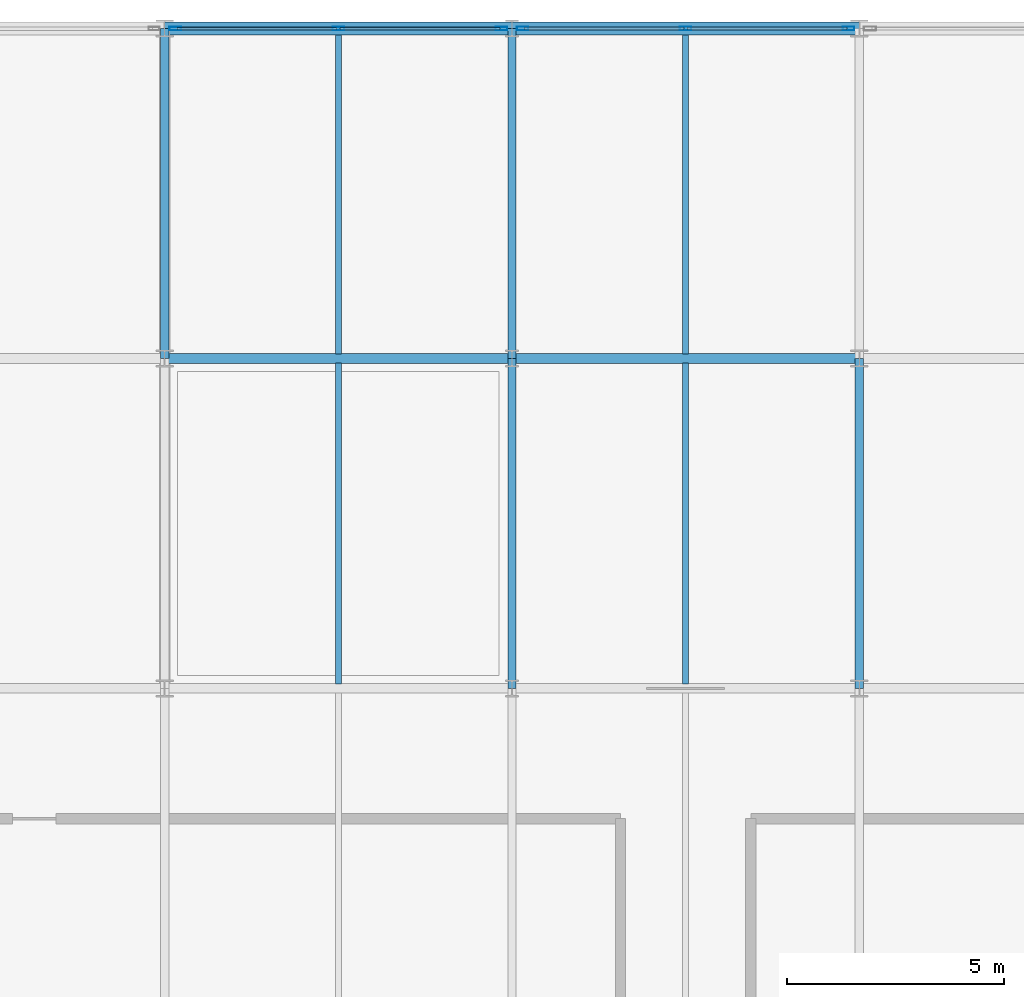
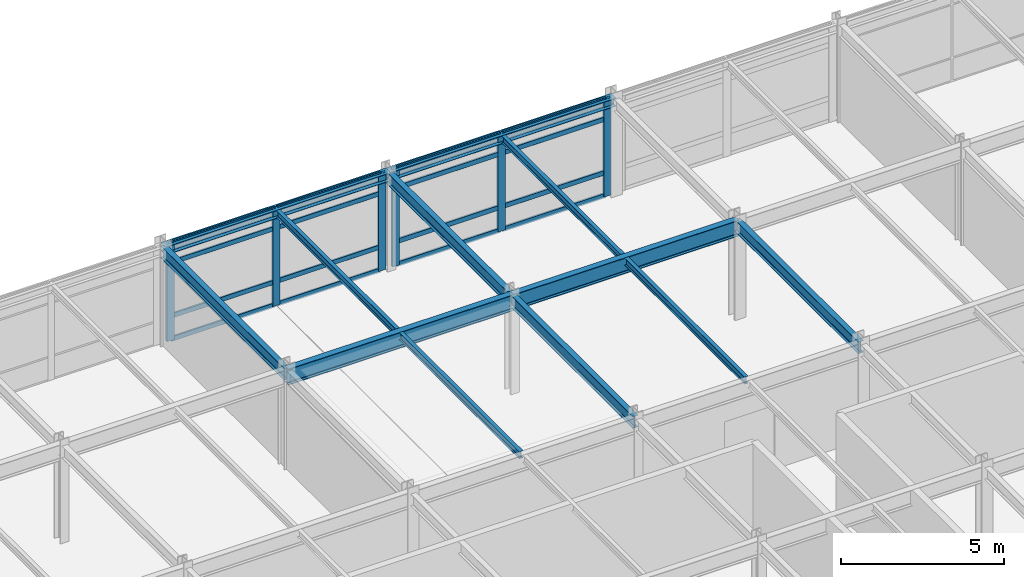
# One storey, part 7 of 14: 22 members, 12 beams, 2 elements without a shape of their own.
"""IFC4 building model written with IfcOpenShell, lengths in metres."""

import ifcopenshell
import ifcopenshell.guid

model = None  # the IFC model being written
_history = None  # IfcOwnerHistory: only IFC2X3 demands one
_inside = {}  # id of a spatial element -> (the spatial element, [elements in it])
_under = {}  # id of a project, library or spatial element -> (it, [spatial elements below it])
_declared = {}  # id of a project -> (the project, [libraries it declares])
_typed = {}  # id of a type object -> (the type object, [elements of that type])
_made_of = {}  # id of a material, layer set ... -> (it, [elements and type objects made of it])


def new_model(schema):
    """Start an empty IFC model of exactly this schema.

    Asked for "IFC4X3", IfcOpenShell would pick the latest addendum, in which some entities
    have other attributes; the version numbers below select the first issue.
    IFC2X3 requires an IfcOwnerHistory on every rooted entity: one is made here for all.
    """
    global model, _history
    if schema == "IFC4X3":
        model = ifcopenshell.file(schema_version=(4, 3, 0, 0))
    else:
        model = ifcopenshell.file(schema=schema)
    _inside.clear()
    _under.clear()
    _declared.clear()
    _typed.clear()
    _made_of.clear()
    _history = None
    if model.schema == "IFC2X3":
        org = make("IfcOrganization", Name="unknown")
        user = make(
            "IfcPersonAndOrganization",
            ThePerson=make("IfcPerson", FamilyName="unknown"),
            TheOrganization=org,
        )
        app = make(
            "IfcApplication",
            ApplicationDeveloper=org,
            Version="unknown",
            ApplicationFullName="unknown",
            ApplicationIdentifier="unknown",
        )
        _history = make(
            "IfcOwnerHistory",
            OwningUser=user,
            OwningApplication=app,
            ChangeAction="ADDED",
            CreationDate=0,
        )
    return model


def make(cls, **values):
    """One entity of the class cls with the attributes given. An attribute that is None is left unset."""
    return model.create_entity(
        cls, **{name: value for name, value in values.items() if value is not None}
    )


def rooted(cls, **values):
    """An entity with a GlobalId (a new one), such as an element, a storey or a relation."""
    return make(cls, GlobalId=ifcopenshell.guid.new(), OwnerHistory=_history, **values)


def si_unit(unit_type, name, prefix=None):
    """IfcSIUnit, for example si_unit("LENGTHUNIT", "METRE", prefix="MILLI")."""
    return make("IfcSIUnit", UnitType=unit_type, Prefix=prefix, Name=name)


def assignment(units):
    """IfcUnitAssignment: the units of a project."""
    return None if units is None else make("IfcUnitAssignment", Units=units)


def point(xyz):
    """IfcCartesianPoint."""
    return None if xyz is None else make("IfcCartesianPoint", Coordinates=xyz)


def direction(xyz):
    """IfcDirection."""
    return None if xyz is None else make("IfcDirection", DirectionRatios=xyz)


def frame(location, z_axis=None, x_axis=None):
    """IfcAxis2Placement3D, a coordinate frame: its origin and axes. An axis left out is left unset."""
    return make(
        "IfcAxis2Placement3D",
        Location=point(location),
        Axis=direction(z_axis),
        RefDirection=direction(x_axis),
    )


def frame_2d(location, x_axis=None):
    """IfcAxis2Placement2D, a coordinate frame in the plane: its origin and x axis."""
    return make(
        "IfcAxis2Placement2D", Location=point(location), RefDirection=direction(x_axis)
    )


def origin():
    """The frame at (0, 0, 0) with its axes left unset."""
    return frame((0.0, 0.0, 0.0))


def origin_2d():
    """The frame at (0, 0) in the plane with its x axis left unset."""
    return frame_2d((0.0, 0.0))


def place(relative_to, where):
    """IfcLocalPlacement: puts the frame where relative to a parent placement (None: the world)."""
    return make(
        "IfcLocalPlacement", PlacementRelTo=relative_to, RelativePlacement=where
    )


def context(
    kind, dimensions, precision=None, world=None, true_north=None, identifier=None
):
    """IfcGeometricRepresentationContext, for example the 3D "Model" context."""
    return make(
        "IfcGeometricRepresentationContext",
        ContextIdentifier=identifier,
        ContextType=kind,
        CoordinateSpaceDimension=dimensions,
        Precision=precision,
        WorldCoordinateSystem=world,
        TrueNorth=true_north,
    )


def subcontext(parent, identifier, kind, view, scale=None):
    """IfcGeometricRepresentationSubContext, for example "Body" below "Model"."""
    return make(
        "IfcGeometricRepresentationSubContext",
        ContextIdentifier=identifier,
        ContextType=kind,
        ParentContext=parent,
        TargetScale=scale,
        TargetView=view,
    )


def project(units=None, contexts=None):
    """IfcProject with its units and contexts."""
    return rooted(
        "IfcProject",
        Name="project",
        RepresentationContexts=contexts,
        UnitsInContext=assignment(units),
    )


def spatial(cls, under=None, at=None, **own):
    """A site, building, storey or space (cls), placed at a placement, below another one or the project."""
    s = rooted(cls, ObjectPlacement=at, **own)
    if under is not None:
        _under.setdefault(under.id(), (under, []))[1].append(s)
    return s


def profile(cls, at=None, kind="AREA", **sizes):
    """A parametric profile (cls). Its sizes go by their IFC names, for example OverallWidth=200.0."""
    return make(cls, ProfileType=kind, Position=at, **sizes)


def hollow_rectangle(**sizes):
    """IfcRectangleHollowProfileDef."""
    return profile("IfcRectangleHollowProfileDef", **sizes)


def i_section(**sizes):
    """IfcIShapeProfileDef."""
    return profile("IfcIShapeProfileDef", **sizes)


def extrude(swept, where, along, depth):
    """IfcExtrudedAreaSolid: the profile swept, set in the frame where, extruded along a direction by depth."""
    return make(
        "IfcExtrudedAreaSolid",
        SweptArea=swept,
        Position=where,
        ExtrudedDirection=direction(along),
        Depth=depth,
    )


def shape(context_of_items, identifier, shape_type, items):
    """IfcShapeRepresentation: the items that make up one representation, for example the "Body"."""
    return make(
        "IfcShapeRepresentation",
        ContextOfItems=context_of_items,
        RepresentationIdentifier=identifier,
        RepresentationType=shape_type,
        Items=items,
    )


def material(Name=None, Category=None):
    """IfcMaterial."""
    return make("IfcMaterial", Name=Name, Category=Category)


def layer(
    of_material, thickness, ventilated=None, Name=None, Category=None, Priority=None
):
    """IfcMaterialLayer: one layer of a wall or slab, of a material (None: an air gap)."""
    return make(
        "IfcMaterialLayer",
        Material=of_material,
        LayerThickness=thickness,
        IsVentilated=ventilated,
        Name=Name,
        Category=Category,
        Priority=Priority,
    )


def layer_set(layers, Name=None):
    """IfcMaterialLayerSet."""
    return make("IfcMaterialLayerSet", MaterialLayers=layers, LayerSetName=Name)


def material_profile(
    of_material, cross_section, Name=None, Category=None, Priority=None
):
    """IfcMaterialProfile: a cross section and its material."""
    return make(
        "IfcMaterialProfile",
        Name=Name,
        Material=of_material,
        Profile=cross_section,
        Priority=Priority,
        Category=Category,
    )


def profile_set(profiles, Name=None, composite=None):
    """IfcMaterialProfileSet."""
    return make(
        "IfcMaterialProfileSet",
        Name=Name,
        MaterialProfiles=profiles,
        CompositeProfile=composite,
    )


def made_of(thing, what):
    """Note that an element or type object is made of a material, layer set ...; save() writes the relation."""
    if what is not None:
        _made_of.setdefault(what.id(), (what, []))[1].append(thing)
    return thing


def type_object(cls, material=None, **own):
    """A type object (cls), such as IfcWallType, which elements share."""
    return made_of(rooted(cls, **own), material)


def element(
    cls,
    number,
    at=None,
    inside=None,
    cuts=None,
    type_object=None,
    material=None,
    context=None,
    identifier="Body",
    shape_type=None,
    held_by="IfcProductDefinitionShape",
    body=None,
    shapes=None,
    **own,
):
    """One element of the class cls, such as IfcWall. Its Tag is "e" and its number.

    at: its placement. inside: the storey or other place that contains it. cuts: it is an
    opening in that element (IfcRelVoidsElement). A single representation is given by context,
    identifier, shape_type and body (its items); several are given by shapes. held_by: the class
    of the entity that holds the representations. save() writes the other relations.
    """
    e = rooted(cls, Tag="e%d" % number, ObjectPlacement=at, **own)
    if body is not None:
        shapes = [shape(context, identifier, shape_type, body)]
    if shapes is not None:
        e.Representation = make(held_by, Representations=shapes)
    if inside is not None:
        _inside.setdefault(inside.id(), (inside, []))[1].append(e)
    if cuts is not None:
        rooted(
            "IfcRelVoidsElement", RelatingBuildingElement=cuts, RelatedOpeningElement=e
        )
    if type_object is not None:
        _typed.setdefault(type_object.id(), (type_object, []))[1].append(e)
    return made_of(e, material)


def aggregate(whole, parts):
    """IfcRelAggregates: a whole, such as a stair, and the parts it consists of."""
    return rooted("IfcRelAggregates", RelatingObject=whole, RelatedObjects=parts)


def save(model, path):
    """Write the relations noted so far, then the file.

    IfcRelAggregates (storeys below a building ...), IfcRelContainedInSpatialStructure (elements
    in a storey), IfcRelDefinesByType, IfcRelAssociatesMaterial and IfcRelDeclares: one each for
    every whole, place, type object, material and project.
    """
    for whole, parts in _under.values():
        aggregate(whole, parts)
    for where, things in _inside.values():
        rooted(
            "IfcRelContainedInSpatialStructure",
            RelatedElements=things,
            RelatingStructure=where,
        )
    for kind, things in _typed.values():
        rooted("IfcRelDefinesByType", RelatedObjects=things, RelatingType=kind)
    for what, things in _made_of.values():
        rooted("IfcRelAssociatesMaterial", RelatedObjects=things, RelatingMaterial=what)
    for by, libraries in _declared.values():
        rooted("IfcRelDeclares", RelatingContext=by, RelatedDefinitions=libraries)
    model.write(path)


model = new_model("IFC4")

# Units and contexts
model_context = context("Model", 3, precision=1e-05, world=origin(), true_north=direction((0.0, 1.0)))
body_context = subcontext(model_context, "Body", "Model", "MODEL_VIEW")
ifc_project = project(units=[si_unit("LENGTHUNIT", "METRE"), si_unit("AREAUNIT", "SQUARE_METRE"), si_unit("VOLUMEUNIT", "CUBIC_METRE"), si_unit("PLANEANGLEUNIT", "RADIAN"), si_unit("MASSUNIT", "GRAM", prefix="KILO")], contexts=[model_context])

# Site, building, storey
site_placement = place(None, origin())
site = spatial("IfcSite", under=ifc_project, at=site_placement, CompositionType="ELEMENT")
building_placement = place(site_placement, origin())
building = spatial("IfcBuilding", under=site, at=building_placement, Name="Shalkamar Park Central Library", CompositionType="ELEMENT")
storey_placement = place(building_placement, frame((0.0, 0.0, 28.199951171875)))
storey = spatial("IfcBuildingStorey", under=building, at=storey_placement, Name="L07", CompositionType="ELEMENT", Elevation=28.199951171875)

# Beams
ifc_material_1 = material(Name="Steel S355", Category="steel")
ifc_material_profile_1 = material_profile(ifc_material_1, i_section(OverallWidth=0.135009765625, OverallDepth=0.27001953125, WebThickness=0.006591796875, FlangeThickness=0.01025390625, FilletRadius=0.014892578125, at=origin_2d()), Name="IPE 270")
ifc_profile_set_1 = profile_set([ifc_material_profile_1], Name="Steel S355")
beam_type_1 = type_object("IfcBeamType", Name="Composite Floor Joist IPE270", PredefinedType="JOIST", material=ifc_profile_set_1)
beam_1_placement = place(storey_placement, frame((185.0, 278.10791015625, 3.525146484375), z_axis=(0.0, 1.0, 0.0), x_axis=(-1.0, 0.0, 0.0)))
element("IfcBeam", 1, at=beam_1_placement, inside=storey, type_object=beam_type_1, Name="Composite Joist 09/F-1 (L07)", PredefinedType="JOIST", context=body_context, shape_type="SweptSolid", body=[
    extrude(i_section(OverallWidth=0.135009765625, OverallDepth=0.27001953125, WebThickness=0.006591796875, FlangeThickness=0.01025390625, FilletRadius=0.014892578125, at=origin_2d()), origin(), (0.0, 0.0, 1.0), 7.384033203125),
])
beam_2_placement = place(storey_placement, frame((185.0, 285.7080078125, 3.525146484375), z_axis=(0.0, 1.0, 0.0), x_axis=(-1.0, 0.0, 0.0)))
element("IfcBeam", 2, at=beam_2_placement, inside=storey, type_object=beam_type_1, Name="Composite Joist 09/G-1 (L07)", PredefinedType="JOIST", context=body_context, shape_type="SweptSolid", body=[
    extrude(i_section(OverallWidth=0.135009765625, OverallDepth=0.27001953125, WebThickness=0.006591796875, FlangeThickness=0.01025390625, FilletRadius=0.014892578125, at=origin_2d()), origin(), (0.0, 0.0, 1.0), 7.343994140625),
])
beam_3_placement = place(storey_placement, frame((193.0, 278.10791015625, 3.525146484375), z_axis=(0.0, 1.0, 0.0), x_axis=(-1.0, 0.0, 0.0)))
element("IfcBeam", 3, at=beam_3_placement, inside=storey, type_object=beam_type_1, Name="Composite Joist 10/F-1 (L07)", PredefinedType="JOIST", context=body_context, shape_type="SweptSolid", body=[
    extrude(i_section(OverallWidth=0.135009765625, OverallDepth=0.27001953125, WebThickness=0.006591796875, FlangeThickness=0.01025390625, FilletRadius=0.014892578125, at=origin_2d()), origin(), (0.0, 0.0, 1.0), 7.384033203125),
])
beam_4_placement = place(storey_placement, frame((193.0, 285.7080078125, 3.525146484375), z_axis=(0.0, 1.0, 0.0), x_axis=(-1.0, 0.0, 0.0)))
element("IfcBeam", 4, at=beam_4_placement, inside=storey, type_object=beam_type_1, Name="Composite Joist 10/G-1 (L07)", PredefinedType="JOIST", context=body_context, shape_type="SweptSolid", body=[
    extrude(i_section(OverallWidth=0.135009765625, OverallDepth=0.27001953125, WebThickness=0.006591796875, FlangeThickness=0.01025390625, FilletRadius=0.014892578125, at=origin_2d()), origin(), (0.0, 0.0, 1.0), 7.343994140625),
])

# Curtain wall, members
ifc_material_2 = material(Name="Thermally broken aluminium and triple low-e curtain wall", Category="aluminium")
ifc_layer_1 = layer(ifc_material_2, 0.27001953125)
ifc_layer_set_1 = layer_set([ifc_layer_1], Name="UnitisedCurtainWall_70")
curtain_wall_type_1 = type_object("IfcCurtainWallType", Name="Unitised Curtain Wall 70", PredefinedType="USERDEFINED", material=ifc_layer_set_1)
curtain_wall_1_placement = place(storey_placement, origin())
curtain_wall_1 = element("IfcCurtainWall", 5, at=curtain_wall_1_placement, inside=storey, type_object=curtain_wall_type_1, Name="Unitised Curtain Wall CW-L07-098", ObjectType="UNITISED CURTAIN WALL", PredefinedType="USERDEFINED")
ifc_material_3 = material(Name="Aluminium 6060-T66", Category="aluminium")
ifc_material_profile_2 = material_profile(ifc_material_3, hollow_rectangle(XDim=0.080078125, YDim=0.27001953125, WallThickness=0.0048828125, InnerFilletRadius=0.0048828125, OuterFilletRadius=0.007568359375, at=origin_2d()), Name="ALU 80x270x5")
ifc_profile_set_2 = profile_set([ifc_material_profile_2], Name="Aluminium 6060-T66")
member_type_1 = type_object("IfcMemberType", Name="Curtain Wall Mullion ALU80x270", PredefinedType="MULLION", material=ifc_profile_set_2)
member_1_placement = place(storey_placement, frame((181.242919921875, 293.199951171875, 0.0), z_axis=(0.0, 0.0, 1.0), x_axis=(0.0, 1.0, 0.0)))
member_1 = element("IfcMember", 6, at=member_1_placement, type_object=member_type_1, Name="CW-70 mullion 1", PredefinedType="MULLION", context=body_context, shape_type="SweptSolid", body=[
    extrude(hollow_rectangle(XDim=0.080078125, YDim=0.27001953125, WallThickness=0.0048828125, InnerFilletRadius=0.0048828125, OuterFilletRadius=0.007568359375, at=origin_2d()), origin(), (0.0, 0.0, 1.0), 3.66015625),
])
member_2_placement = place(storey_placement, frame((185.000732421875, 293.199951171875, 0.0), z_axis=(0.0, 0.0, 1.0), x_axis=(0.0, 1.0, 0.0)))
member_2 = element("IfcMember", 7, at=member_2_placement, type_object=member_type_1, Name="CW-70 mullion 2", PredefinedType="MULLION", context=body_context, shape_type="SweptSolid", body=[
    extrude(hollow_rectangle(XDim=0.080078125, YDim=0.27001953125, WallThickness=0.0048828125, InnerFilletRadius=0.0048828125, OuterFilletRadius=0.007568359375, at=origin_2d()), origin(), (0.0, 0.0, 1.0), 3.66015625),
])
member_3_placement = place(storey_placement, frame((188.758544921875, 293.199951171875, 0.0), z_axis=(0.0, 0.0, 1.0), x_axis=(0.0, 1.0, 0.0)))
member_3 = element("IfcMember", 8, at=member_3_placement, type_object=member_type_1, Name="CW-70 mullion 3", PredefinedType="MULLION", context=body_context, shape_type="SweptSolid", body=[
    extrude(hollow_rectangle(XDim=0.080078125, YDim=0.27001953125, WallThickness=0.0048828125, InnerFilletRadius=0.0048828125, OuterFilletRadius=0.007568359375, at=origin_2d()), origin(), (0.0, 0.0, 1.0), 3.66015625),
])

ifc_layer_2 = layer(ifc_material_2, 0.264892578125)
ifc_layer_set_2 = layer_set([ifc_layer_2], Name="UnitisedCurtainWall_73")
curtain_wall_type_2 = type_object("IfcCurtainWallType", Name="Unitised Curtain Wall 73", PredefinedType="USERDEFINED", material=ifc_layer_set_2)
curtain_wall_2_placement = place(storey_placement, origin())
curtain_wall_2 = element("IfcCurtainWall", 9, at=curtain_wall_2_placement, inside=storey, type_object=curtain_wall_type_2, Name="Unitised Curtain Wall CW-L07-099", ObjectType="UNITISED CURTAIN WALL", PredefinedType="USERDEFINED")
ifc_material_profile_3 = material_profile(ifc_material_3, hollow_rectangle(XDim=0.0849609375, YDim=0.264892578125, WallThickness=0.0048828125, InnerFilletRadius=0.0048828125, OuterFilletRadius=0.007568359375, at=origin_2d()), Name="ALU 85x265x5")
ifc_profile_set_3 = profile_set([ifc_material_profile_3], Name="Aluminium 6060-T66")
member_type_2 = type_object("IfcMemberType", Name="Curtain Wall Mullion ALU85x265", PredefinedType="MULLION", material=ifc_profile_set_3)
member_4_placement = place(storey_placement, frame((189.243896484375, 293.199951171875, 0.0), z_axis=(0.0, 0.0, 1.0), x_axis=(0.0, 1.0, 0.0)))
member_4 = element("IfcMember", 10, at=member_4_placement, type_object=member_type_2, Name="CW-73 mullion 1", PredefinedType="MULLION", context=body_context, shape_type="SweptSolid", body=[
    extrude(hollow_rectangle(XDim=0.0849609375, YDim=0.264892578125, WallThickness=0.0048828125, InnerFilletRadius=0.0048828125, OuterFilletRadius=0.007568359375, at=origin_2d()), origin(), (0.0, 0.0, 1.0), 3.66015625),
])
member_5_placement = place(storey_placement, frame((192.999267578125, 293.199951171875, 0.0), z_axis=(0.0, 0.0, 1.0), x_axis=(0.0, 1.0, 0.0)))
member_5 = element("IfcMember", 11, at=member_5_placement, type_object=member_type_2, Name="CW-73 mullion 2", PredefinedType="MULLION", context=body_context, shape_type="SweptSolid", body=[
    extrude(hollow_rectangle(XDim=0.0849609375, YDim=0.264892578125, WallThickness=0.0048828125, InnerFilletRadius=0.0048828125, OuterFilletRadius=0.007568359375, at=origin_2d()), origin(), (0.0, 0.0, 1.0), 3.66015625),
])
member_6_placement = place(storey_placement, frame((196.75439453125, 293.199951171875, 0.0), z_axis=(0.0, 0.0, 1.0), x_axis=(0.0, 1.0, 0.0)))
member_6 = element("IfcMember", 12, at=member_6_placement, type_object=member_type_2, Name="CW-73 mullion 3", PredefinedType="MULLION", context=body_context, shape_type="SweptSolid", body=[
    extrude(hollow_rectangle(XDim=0.0849609375, YDim=0.264892578125, WallThickness=0.0048828125, InnerFilletRadius=0.0048828125, OuterFilletRadius=0.007568359375, at=origin_2d()), origin(), (0.0, 0.0, 1.0), 3.66015625),
])

# Member
ifc_material_profile_4 = material_profile(ifc_material_3, hollow_rectangle(XDim=0.06494140625, YDim=0.175048828125, WallThickness=0.00439453125, InnerFilletRadius=0.00439453125, OuterFilletRadius=0.0068359375, at=origin_2d()), Name="ALU 65x175x4.5")
ifc_profile_set_4 = profile_set([ifc_material_profile_4], Name="Aluminium 6060-T66")
member_type_3 = type_object("IfcMemberType", Name="Curtain Wall Transom ALU65x175", PredefinedType="USERDEFINED", material=ifc_profile_set_4)
member_7_placement = place(storey_placement, frame((181.282958984375, 293.199951171875, 0.032470703125), z_axis=(1.0, 0.0, 0.0), x_axis=(0.0, 1.0, 0.0)))
member_7 = element("IfcMember", 13, at=member_7_placement, type_object=member_type_3, Name="CW-70 transom 1.1", ObjectType="TRANSOM", PredefinedType="USERDEFINED", context=body_context, shape_type="SweptSolid", body=[
    extrude(hollow_rectangle(XDim=0.06494140625, YDim=0.175048828125, WallThickness=0.00439453125, InnerFilletRadius=0.00439453125, OuterFilletRadius=0.0068359375, at=origin_2d()), origin(), (0.0, 0.0, 1.0), 3.677734375),
])

member_8_placement = place(storey_placement, frame((181.282958984375, 293.199951171875, 0.900146484375), z_axis=(1.0, 0.0, 0.0), x_axis=(0.0, 1.0, 0.0)))
member_8 = element("IfcMember", 14, at=member_8_placement, type_object=member_type_3, Name="CW-70 transom 1.2", ObjectType="TRANSOM", PredefinedType="USERDEFINED", context=body_context, shape_type="SweptSolid", body=[
    extrude(hollow_rectangle(XDim=0.06494140625, YDim=0.175048828125, WallThickness=0.00439453125, InnerFilletRadius=0.00439453125, OuterFilletRadius=0.0068359375, at=origin_2d()), origin(), (0.0, 0.0, 1.0), 3.677734375),
])

member_9_placement = place(storey_placement, frame((181.282958984375, 293.199951171875, 2.91015625), z_axis=(1.0, 0.0, 0.0), x_axis=(0.0, 1.0, 0.0)))
member_9 = element("IfcMember", 15, at=member_9_placement, type_object=member_type_3, Name="CW-70 transom 1.3", ObjectType="TRANSOM", PredefinedType="USERDEFINED", context=body_context, shape_type="SweptSolid", body=[
    extrude(hollow_rectangle(XDim=0.06494140625, YDim=0.175048828125, WallThickness=0.00439453125, InnerFilletRadius=0.00439453125, OuterFilletRadius=0.0068359375, at=origin_2d()), origin(), (0.0, 0.0, 1.0), 3.677734375),
])

member_10_placement = place(storey_placement, frame((181.282958984375, 293.199951171875, 3.62744140625), z_axis=(1.0, 0.0, 0.0), x_axis=(0.0, 1.0, 0.0)))
member_10 = element("IfcMember", 16, at=member_10_placement, type_object=member_type_3, Name="CW-70 transom 1.4", ObjectType="TRANSOM", PredefinedType="USERDEFINED", context=body_context, shape_type="SweptSolid", body=[
    extrude(hollow_rectangle(XDim=0.06494140625, YDim=0.175048828125, WallThickness=0.00439453125, InnerFilletRadius=0.00439453125, OuterFilletRadius=0.0068359375, at=origin_2d()), origin(), (0.0, 0.0, 1.0), 3.677734375),
])

member_11_placement = place(storey_placement, frame((185.040771484375, 293.199951171875, 0.032470703125), z_axis=(1.0, 0.0, 0.0), x_axis=(0.0, 1.0, 0.0)))
member_11 = element("IfcMember", 17, at=member_11_placement, type_object=member_type_3, Name="CW-70 transom 2.1", ObjectType="TRANSOM", PredefinedType="USERDEFINED", context=body_context, shape_type="SweptSolid", body=[
    extrude(hollow_rectangle(XDim=0.06494140625, YDim=0.175048828125, WallThickness=0.00439453125, InnerFilletRadius=0.00439453125, OuterFilletRadius=0.0068359375, at=origin_2d()), origin(), (0.0, 0.0, 1.0), 3.677734375),
])

member_12_placement = place(storey_placement, frame((185.040771484375, 293.199951171875, 0.900146484375), z_axis=(1.0, 0.0, 0.0), x_axis=(0.0, 1.0, 0.0)))
member_12 = element("IfcMember", 18, at=member_12_placement, type_object=member_type_3, Name="CW-70 transom 2.2", ObjectType="TRANSOM", PredefinedType="USERDEFINED", context=body_context, shape_type="SweptSolid", body=[
    extrude(hollow_rectangle(XDim=0.06494140625, YDim=0.175048828125, WallThickness=0.00439453125, InnerFilletRadius=0.00439453125, OuterFilletRadius=0.0068359375, at=origin_2d()), origin(), (0.0, 0.0, 1.0), 3.677734375),
])

member_13_placement = place(storey_placement, frame((185.040771484375, 293.199951171875, 2.91015625), z_axis=(1.0, 0.0, 0.0), x_axis=(0.0, 1.0, 0.0)))
member_13 = element("IfcMember", 19, at=member_13_placement, type_object=member_type_3, Name="CW-70 transom 2.3", ObjectType="TRANSOM", PredefinedType="USERDEFINED", context=body_context, shape_type="SweptSolid", body=[
    extrude(hollow_rectangle(XDim=0.06494140625, YDim=0.175048828125, WallThickness=0.00439453125, InnerFilletRadius=0.00439453125, OuterFilletRadius=0.0068359375, at=origin_2d()), origin(), (0.0, 0.0, 1.0), 3.677734375),
])

member_14_placement = place(storey_placement, frame((185.040771484375, 293.199951171875, 3.62744140625), z_axis=(1.0, 0.0, 0.0), x_axis=(0.0, 1.0, 0.0)))
member_14 = element("IfcMember", 20, at=member_14_placement, type_object=member_type_3, Name="CW-70 transom 2.4", ObjectType="TRANSOM", PredefinedType="USERDEFINED", context=body_context, shape_type="SweptSolid", body=[
    extrude(hollow_rectangle(XDim=0.06494140625, YDim=0.175048828125, WallThickness=0.00439453125, InnerFilletRadius=0.00439453125, OuterFilletRadius=0.0068359375, at=origin_2d()), origin(), (0.0, 0.0, 1.0), 3.677734375),
])

aggregate(curtain_wall_1, [member_1, member_2, member_3, member_7, member_8, member_9, member_10, member_11, member_12, member_13, member_14])

ifc_material_profile_5 = material_profile(ifc_material_3, hollow_rectangle(XDim=0.070068359375, YDim=0.179931640625, WallThickness=0.00439453125, InnerFilletRadius=0.00439453125, OuterFilletRadius=0.0068359375, at=origin_2d()), Name="ALU 70x180x4.5")
ifc_profile_set_5 = profile_set([ifc_material_profile_5], Name="Aluminium 6060-T66")
member_type_4 = type_object("IfcMemberType", Name="Curtain Wall Transom ALU70x180", PredefinedType="USERDEFINED", material=ifc_profile_set_5)
member_15_placement = place(storey_placement, frame((189.28662109375, 293.199951171875, 0.03515625), z_axis=(1.0, 0.0, 0.0), x_axis=(0.0, 1.0, 0.0)))
member_15 = element("IfcMember", 21, at=member_15_placement, type_object=member_type_4, Name="CW-73 transom 1.1", ObjectType="TRANSOM", PredefinedType="USERDEFINED", context=body_context, shape_type="SweptSolid", body=[
    extrude(hollow_rectangle(XDim=0.070068359375, YDim=0.179931640625, WallThickness=0.00439453125, InnerFilletRadius=0.00439453125, OuterFilletRadius=0.0068359375, at=origin_2d()), origin(), (0.0, 0.0, 1.0), 3.670166015625),
])

member_16_placement = place(storey_placement, frame((189.28662109375, 293.199951171875, 0.900146484375), z_axis=(1.0, 0.0, 0.0), x_axis=(0.0, 1.0, 0.0)))
member_16 = element("IfcMember", 22, at=member_16_placement, type_object=member_type_4, Name="CW-73 transom 1.2", ObjectType="TRANSOM", PredefinedType="USERDEFINED", context=body_context, shape_type="SweptSolid", body=[
    extrude(hollow_rectangle(XDim=0.070068359375, YDim=0.179931640625, WallThickness=0.00439453125, InnerFilletRadius=0.00439453125, OuterFilletRadius=0.0068359375, at=origin_2d()), origin(), (0.0, 0.0, 1.0), 3.670166015625),
])

member_17_placement = place(storey_placement, frame((189.28662109375, 293.199951171875, 2.91015625), z_axis=(1.0, 0.0, 0.0), x_axis=(0.0, 1.0, 0.0)))
member_17 = element("IfcMember", 23, at=member_17_placement, type_object=member_type_4, Name="CW-73 transom 1.3", ObjectType="TRANSOM", PredefinedType="USERDEFINED", context=body_context, shape_type="SweptSolid", body=[
    extrude(hollow_rectangle(XDim=0.070068359375, YDim=0.179931640625, WallThickness=0.00439453125, InnerFilletRadius=0.00439453125, OuterFilletRadius=0.0068359375, at=origin_2d()), origin(), (0.0, 0.0, 1.0), 3.670166015625),
])

member_18_placement = place(storey_placement, frame((189.28662109375, 293.199951171875, 3.625), z_axis=(1.0, 0.0, 0.0), x_axis=(0.0, 1.0, 0.0)))
member_18 = element("IfcMember", 24, at=member_18_placement, type_object=member_type_4, Name="CW-73 transom 1.4", ObjectType="TRANSOM", PredefinedType="USERDEFINED", context=body_context, shape_type="SweptSolid", body=[
    extrude(hollow_rectangle(XDim=0.070068359375, YDim=0.179931640625, WallThickness=0.00439453125, InnerFilletRadius=0.00439453125, OuterFilletRadius=0.0068359375, at=origin_2d()), origin(), (0.0, 0.0, 1.0), 3.670166015625),
])

member_19_placement = place(storey_placement, frame((193.041748046875, 293.199951171875, 0.03515625), z_axis=(1.0, 0.0, 0.0), x_axis=(0.0, 1.0, 0.0)))
member_19 = element("IfcMember", 25, at=member_19_placement, type_object=member_type_4, Name="CW-73 transom 2.1", ObjectType="TRANSOM", PredefinedType="USERDEFINED", context=body_context, shape_type="SweptSolid", body=[
    extrude(hollow_rectangle(XDim=0.070068359375, YDim=0.179931640625, WallThickness=0.00439453125, InnerFilletRadius=0.00439453125, OuterFilletRadius=0.0068359375, at=origin_2d()), origin(), (0.0, 0.0, 1.0), 3.670166015625),
])

member_20_placement = place(storey_placement, frame((193.041748046875, 293.199951171875, 0.900146484375), z_axis=(1.0, 0.0, 0.0), x_axis=(0.0, 1.0, 0.0)))
member_20 = element("IfcMember", 26, at=member_20_placement, type_object=member_type_4, Name="CW-73 transom 2.2", ObjectType="TRANSOM", PredefinedType="USERDEFINED", context=body_context, shape_type="SweptSolid", body=[
    extrude(hollow_rectangle(XDim=0.070068359375, YDim=0.179931640625, WallThickness=0.00439453125, InnerFilletRadius=0.00439453125, OuterFilletRadius=0.0068359375, at=origin_2d()), origin(), (0.0, 0.0, 1.0), 3.670166015625),
])

member_21_placement = place(storey_placement, frame((193.041748046875, 293.199951171875, 2.91015625), z_axis=(1.0, 0.0, 0.0), x_axis=(0.0, 1.0, 0.0)))
member_21 = element("IfcMember", 27, at=member_21_placement, type_object=member_type_4, Name="CW-73 transom 2.3", ObjectType="TRANSOM", PredefinedType="USERDEFINED", context=body_context, shape_type="SweptSolid", body=[
    extrude(hollow_rectangle(XDim=0.070068359375, YDim=0.179931640625, WallThickness=0.00439453125, InnerFilletRadius=0.00439453125, OuterFilletRadius=0.0068359375, at=origin_2d()), origin(), (0.0, 0.0, 1.0), 3.670166015625),
])

member_22_placement = place(storey_placement, frame((193.041748046875, 293.199951171875, 3.625), z_axis=(1.0, 0.0, 0.0), x_axis=(0.0, 1.0, 0.0)))
member_22 = element("IfcMember", 28, at=member_22_placement, type_object=member_type_4, Name="CW-73 transom 2.4", ObjectType="TRANSOM", PredefinedType="USERDEFINED", context=body_context, shape_type="SweptSolid", body=[
    extrude(hollow_rectangle(XDim=0.070068359375, YDim=0.179931640625, WallThickness=0.00439453125, InnerFilletRadius=0.00439453125, OuterFilletRadius=0.0068359375, at=origin_2d()), origin(), (0.0, 0.0, 1.0), 3.670166015625),
])

aggregate(curtain_wall_2, [member_4, member_5, member_6, member_15, member_16, member_17, member_18, member_19, member_20, member_21, member_22])

# Beams
ifc_material_profile_6 = material_profile(ifc_material_1, i_section(OverallWidth=0.300048828125, OverallDepth=0.31005859375, WebThickness=0.009033203125, FlangeThickness=0.015380859375, FilletRadius=0.027099609375, at=origin_2d()), Name="HEA 320")
ifc_profile_set_6 = profile_set([ifc_material_profile_6], Name="Steel S355")
beam_type_2 = type_object("IfcBeamType", Name="Perimeter Spandrel Beam HEA320", PredefinedType="SPANDREL", material=ifc_profile_set_6)
for number, where, z_axis, x_axis, name in (
    (29, (181.0, 293.199951171875, 3.505126953125), (1.0, 0.0, 0.0), (0.0, 1.0, 0.0), "Beam H:09-10 (L07)"),
    (30, (189.0, 293.199951171875, 3.505126953125), (1.0, 0.0, 0.0), (0.0, 1.0, 0.0), "Beam H:10-11 (L07)"),
):
    element("IfcBeam", number, at=place(storey_placement, frame(where, z_axis=z_axis, x_axis=x_axis)), inside=storey, type_object=beam_type_2, Name=name, PredefinedType="SPANDREL", context=body_context, shape_type="SweptSolid", body=[
        extrude(i_section(OverallWidth=0.300048828125, OverallDepth=0.31005859375, WebThickness=0.009033203125, FlangeThickness=0.015380859375, FilletRadius=0.027099609375, at=origin_2d()), origin(), (0.0, 0.0, 1.0), 8.0),
    ])
ifc_material_profile_7 = material_profile(ifc_material_1, i_section(OverallWidth=0.18994140625, OverallDepth=0.449951171875, WebThickness=0.009521484375, FlangeThickness=0.0146484375, FilletRadius=0.02099609375, at=origin_2d()), Name="IPE 450")
ifc_profile_set_7 = profile_set([ifc_material_profile_7], Name="Steel S355")
beam_type_3 = type_object("IfcBeamType", Name="Primary Girder IPE450", PredefinedType="BEAM", material=ifc_profile_set_7)
beam_5_placement = place(storey_placement, frame((181.0, 285.60009765625, 3.43505859375), z_axis=(0.0, 1.0, 0.0), x_axis=(-1.0, 0.0, 0.0)))
element("IfcBeam", 31, at=beam_5_placement, inside=storey, type_object=beam_type_3, Name="Beam 09:G-H (L07)", PredefinedType="BEAM", context=body_context, shape_type="SweptSolid", body=[
    extrude(i_section(OverallWidth=0.18994140625, OverallDepth=0.449951171875, WebThickness=0.009521484375, FlangeThickness=0.0146484375, FilletRadius=0.02099609375, at=origin_2d()), origin(), (0.0, 0.0, 1.0), 7.599853515625),
])
beam_6_placement = place(storey_placement, frame((189.0, 278.0, 3.43505859375), z_axis=(0.0, 1.0, 0.0), x_axis=(-1.0, 0.0, 0.0)))
element("IfcBeam", 32, at=beam_6_placement, inside=storey, type_object=beam_type_3, Name="Beam 10:F-G (L07)", PredefinedType="BEAM", context=body_context, shape_type="SweptSolid", body=[
    extrude(i_section(OverallWidth=0.18994140625, OverallDepth=0.449951171875, WebThickness=0.009521484375, FlangeThickness=0.0146484375, FilletRadius=0.02099609375, at=origin_2d()), origin(), (0.0, 0.0, 1.0), 7.60009765625),
])
beam_7_placement = place(storey_placement, frame((189.0, 285.60009765625, 3.43505859375), z_axis=(0.0, 1.0, 0.0), x_axis=(-1.0, 0.0, 0.0)))
element("IfcBeam", 33, at=beam_7_placement, inside=storey, type_object=beam_type_3, Name="Beam 10:G-H (L07)", PredefinedType="BEAM", context=body_context, shape_type="SweptSolid", body=[
    extrude(i_section(OverallWidth=0.18994140625, OverallDepth=0.449951171875, WebThickness=0.009521484375, FlangeThickness=0.0146484375, FilletRadius=0.02099609375, at=origin_2d()), origin(), (0.0, 0.0, 1.0), 7.599853515625),
])
beam_8_placement = place(storey_placement, frame((197.0, 278.0, 3.43505859375), z_axis=(0.0, 1.0, 0.0), x_axis=(-1.0, 0.0, 0.0)))
element("IfcBeam", 34, at=beam_8_placement, inside=storey, type_object=beam_type_3, Name="Beam 11:F-G (L07)", PredefinedType="BEAM", context=body_context, shape_type="SweptSolid", body=[
    extrude(i_section(OverallWidth=0.18994140625, OverallDepth=0.449951171875, WebThickness=0.009521484375, FlangeThickness=0.0146484375, FilletRadius=0.02099609375, at=origin_2d()), origin(), (0.0, 0.0, 1.0), 7.60009765625),
])
ifc_material_profile_8 = material_profile(ifc_material_1, i_section(OverallWidth=0.219970703125, OverallDepth=0.60009765625, WebThickness=0.011962890625, FlangeThickness=0.01904296875, FilletRadius=0.02392578125, at=origin_2d()), Name="IPE 600")
ifc_profile_set_8 = profile_set([ifc_material_profile_8], Name="Steel S355")
beam_type_4 = type_object("IfcBeamType", Name="Primary Girder IPE600", PredefinedType="BEAM", material=ifc_profile_set_8)
for number, where, z_axis, x_axis, name in (
    (35, (181.0, 285.60009765625, 3.360107421875), (1.0, 0.0, 0.0), (0.0, 1.0, 0.0), "Beam G:09-10 (L07)"),
    (36, (189.0, 285.60009765625, 3.360107421875), (1.0, 0.0, 0.0), (0.0, 1.0, 0.0), "Beam G:10-11 (L07)"),
):
    element("IfcBeam", number, at=place(storey_placement, frame(where, z_axis=z_axis, x_axis=x_axis)), inside=storey, type_object=beam_type_4, Name=name, PredefinedType="BEAM", context=body_context, shape_type="SweptSolid", body=[
        extrude(i_section(OverallWidth=0.219970703125, OverallDepth=0.60009765625, WebThickness=0.011962890625, FlangeThickness=0.01904296875, FilletRadius=0.02392578125, at=origin_2d()), origin(), (0.0, 0.0, 1.0), 8.0),
    ])

save(model, "model.ifc")
